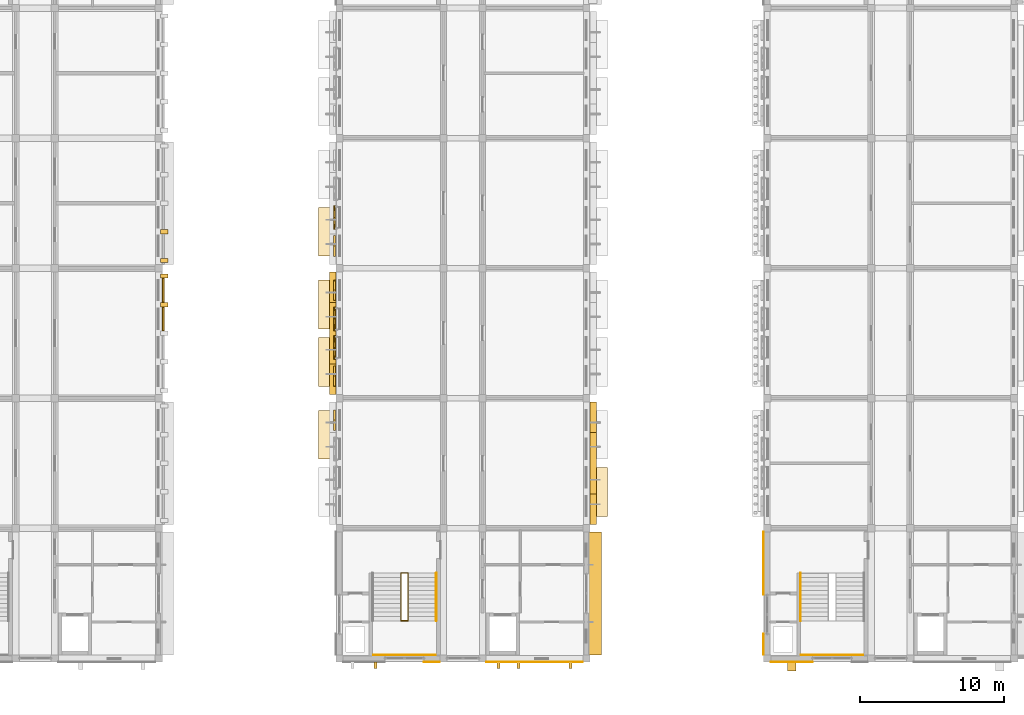
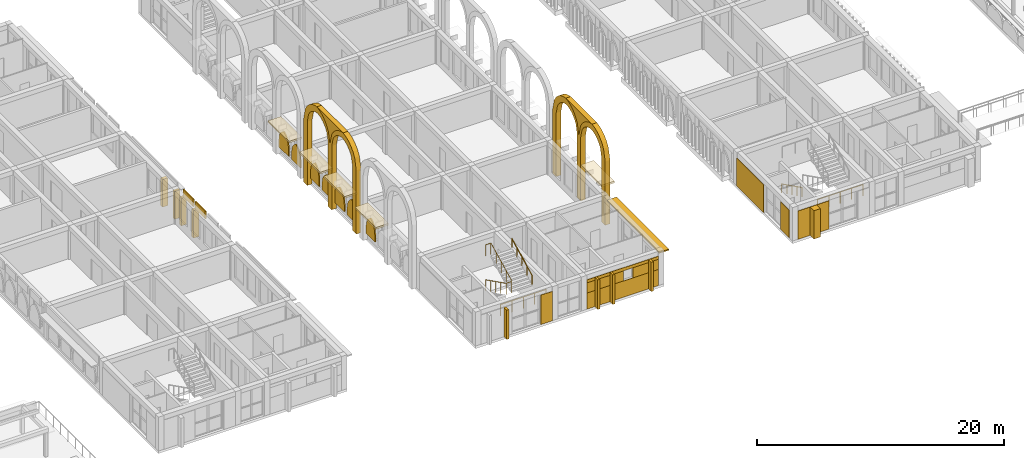
# One storey, part 58 of 70: 28 coverings, 8 shading devices, 5 railings.
"""IFC4 building model written with IfcOpenShell, lengths in metres."""

from ifc_helpers import new_model, si_unit, direction, frame, origin, origin_2d, place, context, subcontext, project, spatial, polyline, rectangle, circle, outline, extrude, material, layer, layer_set, type_object, element, save


model = new_model("IFC4")

# Units and contexts
model_context = context("Model", 3, precision=1e-05, world=origin(), true_north=direction((0.0, 1.0)))
body_context = subcontext(model_context, "Body", "Model", "MODEL_VIEW")
ifc_project = project(units=[si_unit("LENGTHUNIT", "METRE"), si_unit("AREAUNIT", "SQUARE_METRE"), si_unit("VOLUMEUNIT", "CUBIC_METRE"), si_unit("PLANEANGLEUNIT", "RADIAN"), si_unit("MASSUNIT", "GRAM", prefix="KILO")], contexts=[model_context])

# Site, building, storey
site_placement = place(None, origin())
site = spatial("IfcSite", under=ifc_project, at=site_placement, CompositionType="ELEMENT")
building_placement = place(site_placement, origin())
building = spatial("IfcBuilding", under=site, at=building_placement, Name="Elbe Cascade School", CompositionType="ELEMENT")
storey_placement = place(building_placement, frame((0.0, 0.0, 8.10009765625)))
storey = spatial("IfcBuildingStorey", under=building, at=storey_placement, Name="L02", CompositionType="ELEMENT", Elevation=8.10009765625)

# Railings
ifc_material_1 = material(Name="Steel S355J2H, painted", Category="steel")
railing_type_1 = type_object("IfcRailingType", Name="Bar stair guard 1100", PredefinedType="GUARDRAIL", material=ifc_material_1)
railing_1_placement = place(storey_placement, frame((102.85009765625, 11.89990234375, 0.14990234375)))
element("IfcRailing", 1, at=railing_1_placement, inside=storey, type_object=railing_type_1, Name="Stair guard B2.S", PredefinedType="GUARDRAIL", context=body_context, shape_type="SweptSolid", body=[
    extrude(circle(Radius=0.02392578125, at=origin_2d()), frame((0.0, 0.0, 1.09619140625), z_axis=(0.0, -0.894427191, 0.4472135955), x_axis=(1.0, 0.0, 0.0)), (0.0, 0.0, 1.0), 3.689208984375),
    extrude(circle(Radius=0.02392578125, at=origin_2d()), frame((0.0, -3.2998046875, 2.74609375), z_axis=(1.0, 0.0, 0.0), x_axis=(0.0, 1.0, 0.0)), (0.0, 0.0, 1.0), 0.5),
    extrude(circle(Radius=0.02392578125, at=origin_2d()), frame((0.5, -3.2998046875, 2.74609375), z_axis=(0.0, 0.0, 1.0), x_axis=(1.0, 0.0, 0.0)), (0.0, 0.0, 1.0), 0.150146484375),
    extrude(circle(Radius=0.02392578125, at=origin_2d()), frame((0.5, -3.2998046875, 2.89599609375), z_axis=(0.0, 0.894427191, 0.4472135955), x_axis=(-1.0, 0.0, 0.0)), (0.0, 0.0, 1.0), 3.689208984375),
    extrude(circle(Radius=0.02392578125, at=origin_2d()), frame((0.5, 0.0, 4.5458984375), z_axis=(-1.0, 0.0, 0.0), x_axis=(0.0, -1.0, 0.0)), (0.0, 0.0, 1.0), 0.5),
    extrude(circle(Radius=0.02099609375, at=origin_2d()), origin(), (0.0, 0.0, 1.0), 1.072021484375),
    extrude(circle(Radius=0.02099609375, at=origin_2d()), frame((0.0, -0.824951171875, 0.41259765625)), (0.0, 0.0, 1.0), 1.072021484375),
    extrude(circle(Radius=0.02099609375, at=origin_2d()), frame((0.0, -1.64990234375, 0.824951171875)), (0.0, 0.0, 1.0), 1.072021484375),
    extrude(circle(Radius=0.02099609375, at=origin_2d()), frame((0.0, -2.474853515625, 1.2373046875)), (0.0, 0.0, 1.0), 1.072021484375),
    extrude(circle(Radius=0.02099609375, at=origin_2d()), frame((0.0, -3.2998046875, 1.64990234375)), (0.0, 0.0, 1.0), 1.072021484375),
    extrude(circle(Radius=0.02099609375, at=origin_2d()), frame((0.5, -3.2998046875, 1.64990234375)), (0.0, 0.0, 1.0), 1.072021484375),
    extrude(circle(Radius=0.02099609375, at=origin_2d()), frame((0.5, -3.2998046875, 1.800048828125)), (0.0, 0.0, 1.0), 1.072021484375),
    extrude(circle(Radius=0.02099609375, at=origin_2d()), frame((0.5, -2.474853515625, 2.21240234375)), (0.0, 0.0, 1.0), 1.072021484375),
    extrude(circle(Radius=0.02099609375, at=origin_2d()), frame((0.5, -1.64990234375, 2.625)), (0.0, 0.0, 1.0), 1.072021484375),
    extrude(circle(Radius=0.02099609375, at=origin_2d()), frame((0.5, -0.824951171875, 3.03759765625)), (0.0, 0.0, 1.0), 1.072021484375),
    extrude(circle(Radius=0.02099609375, at=origin_2d()), frame((0.5, 0.0, 3.449951171875)), (0.0, 0.0, 1.0), 1.072021484375),
    extrude(circle(Radius=0.02099609375, at=origin_2d()), frame((0.0, 0.0, 3.449951171875)), (0.0, 0.0, 1.0), 1.072021484375),
])
for number, where, name in (
    (2, (100.9599609375, 6.239990234375, 1.7998046875), "Stair guard B2.S"),
    (3, (130.56005859375, 6.239990234375, 1.7998046875), "Stair guard C2.S"),
):
    element("IfcRailing", number, at=place(storey_placement, frame(where)), inside=storey, type_object=railing_type_1, Name=name, PredefinedType="GUARDRAIL", context=body_context, shape_type="SweptSolid", body=[
        extrude(circle(Radius=0.02392578125, at=origin_2d()), frame((0.0, 0.0, 1.09619140625), z_axis=(1.0, 0.0, 0.0), x_axis=(0.0, 1.0, 0.0)), (0.0, 0.0, 1.0), 4.280029296875),
        extrude(circle(Radius=0.02099609375, at=origin_2d()), origin(), (0.0, 0.0, 1.0), 1.072021484375),
        extrude(circle(Radius=0.02099609375, at=origin_2d()), frame((1.070068359375, 0.0, 0.0)), (0.0, 0.0, 1.0), 1.072021484375),
        extrude(circle(Radius=0.02099609375, at=origin_2d()), frame((2.14013671875, 0.0, 0.0)), (0.0, 0.0, 1.0), 1.072021484375),
        extrude(circle(Radius=0.02099609375, at=origin_2d()), frame((3.2099609375, 0.0, 0.0)), (0.0, 0.0, 1.0), 1.072021484375),
        extrude(circle(Radius=0.02099609375, at=origin_2d()), frame((4.280029296875, 0.0, 0.0)), (0.0, 0.0, 1.0), 1.072021484375),
    ])
ifc_material_2 = material(Name="Steel S355J2H, painted", Category="steel")
railing_type_2 = type_object("IfcRailingType", Name="Bar stair handrail 900", PredefinedType="HANDRAIL", material=ifc_material_2)
railing_2_placement = place(storey_placement, frame((105.300048828125, 8.60009765625, 1.949951171875)))
element("IfcRailing", 4, at=railing_2_placement, inside=storey, type_object=railing_type_2, Name="Stair handrail B2.S", PredefinedType="HANDRAIL", context=body_context, shape_type="SweptSolid", body=[
    extrude(circle(Radius=0.02392578125, at=origin_2d()), frame((0.0, 0.0, 0.8759765625), z_axis=(0.0, 0.894427191, 0.4472135955), x_axis=(-1.0, 0.0, 0.0)), (0.0, 0.0, 1.0), 3.689208984375),
    extrude(circle(Radius=0.02099609375, at=origin_2d()), origin(), (0.0, 0.0, 1.0), 0.851806640625),
    extrude(circle(Radius=0.02099609375, at=origin_2d()), frame((0.0, 0.824951171875, 0.41259765625)), (0.0, 0.0, 1.0), 0.851806640625),
    extrude(circle(Radius=0.02099609375, at=origin_2d()), frame((0.0, 1.64990234375, 0.824951171875)), (0.0, 0.0, 1.0), 0.851806640625),
    extrude(circle(Radius=0.02099609375, at=origin_2d()), frame((0.0, 2.474853515625, 1.2373046875)), (0.0, 0.0, 1.0), 0.851806640625),
    extrude(circle(Radius=0.02099609375, at=origin_2d()), frame((0.0, 3.2998046875, 1.64990234375)), (0.0, 0.0, 1.0), 0.851806640625),
])
railing_3_placement = place(storey_placement, frame((130.5, 11.89990234375, 0.14990234375)))
element("IfcRailing", 5, at=railing_3_placement, inside=storey, type_object=railing_type_2, Name="Stair handrail C2.S", PredefinedType="HANDRAIL", context=body_context, shape_type="SweptSolid", body=[
    extrude(circle(Radius=0.02392578125, at=origin_2d()), frame((0.0, 0.0, 0.8759765625), z_axis=(0.0, -0.894427191, 0.4472135955), x_axis=(1.0, 0.0, 0.0)), (0.0, 0.0, 1.0), 3.689208984375),
    extrude(circle(Radius=0.02099609375, at=origin_2d()), origin(), (0.0, 0.0, 1.0), 0.851806640625),
    extrude(circle(Radius=0.02099609375, at=origin_2d()), frame((0.0, -0.824951171875, 0.41259765625)), (0.0, 0.0, 1.0), 0.851806640625),
    extrude(circle(Radius=0.02099609375, at=origin_2d()), frame((0.0, -1.64990234375, 0.824951171875)), (0.0, 0.0, 1.0), 0.851806640625),
    extrude(circle(Radius=0.02099609375, at=origin_2d()), frame((0.0, -2.474853515625, 1.2373046875)), (0.0, 0.0, 1.0), 0.851806640625),
    extrude(circle(Radius=0.02099609375, at=origin_2d()), frame((0.0, -3.2998046875, 1.64990234375)), (0.0, 0.0, 1.0), 0.851806640625),
])

# Shading devices
ifc_material_3 = material(Name="Precast concrete C30/37", Category="concrete")
ifc_layer_1 = layer(ifc_material_3, 0.1201171875)
ifc_layer_set_1 = layer_set([ifc_layer_1], Name="Precast concrete C30/37")
shading_device_type_1 = type_object("IfcShadingDeviceType", Name="Bars envelope Chhajja eave, precast concrete, 900 x 120", PredefinedType="USERDEFINED", material=ifc_layer_set_1)
shading_device_1_placement = place(storey_placement, frame((116.27001953125, 10.5, 2.729736328125), z_axis=(0.0, 0.0, 1.0), x_axis=(0.0, 1.0, 0.0)))
element("IfcShadingDevice", 6, at=shading_device_1_placement, inside=storey, type_object=shading_device_type_1, Name="Chhajja eave SD2 B.L02.e1", ObjectType="CHHAJJA", PredefinedType="USERDEFINED", context=body_context, shape_type="SweptSolid", body=[
    extrude(rectangle(XDim=8.5, YDim=0.89990234375, at=origin_2d()), origin(), (0.0, 0.0, 1.0), 0.1201171875),
])
ifc_material_4 = material(Name="Precast concrete C40/50", Category="concrete")
ifc_layer_2 = layer(ifc_material_4, 0.10009765625)
ifc_layer_set_2 = layer_set([ifc_layer_2], Name="Precast concrete C40/50")
shading_device_type_2 = type_object("IfcShadingDeviceType", Name="Bars envelope Jali screen 1400 x 1940, pointed arch rise 1200, pierced precast concrete", PredefinedType="USERDEFINED", material=ifc_layer_set_2)
shading_device_2_placement = place(storey_placement, frame((98.199951171875, 21.77001953125, 1.33984375), z_axis=(-1.0, 0.0, 0.0), x_axis=(0.0, 0.17792317593, 0.984044380842)))
element("IfcShadingDevice", 7, at=shading_device_2_placement, inside=storey, type_object=shading_device_type_2, Name="Jali screen SD5 B.L02.w2.4", ObjectType="JALI", PredefinedType="USERDEFINED", context=body_context, shape_type="SweptSolid", body=[
    extrude(outline(polyline([(0.0, 0.0), (0.49123641871346896, 0.0), (0.6927805522414701, 0.052626805310662106), (0.8431090177286255, 0.11426571806572286), (0.9656124771118364, 0.18118371597428135), (1.069333371826684, 0.25124965415180983), (1.1586395539315395, 0.3239218888517511), (1.236937894644108, 0.3988325294290419), (1.305342743464475, 0.47528389408648153), (1.26808313808694, 0.5710883451184476), (1.2209300408172035, 0.6684335202305626), (1.1627256638798062, 0.7677768560098606), (1.0901500126077905, 0.8699667335217378), (0.9987917966674117, 0.9753045513025852), (0.8796085746230882, 1.0859214542369302), (0.7092096845379191, 1.2055504646156736), (0.24907507099190854, 1.377566035094913), (-0.4791081610228598, 1.5092274477521288), (-0.7281832320147683, 0.13166141265721568), (0.0, 0.0)])), origin(), (0.0, 0.0, -1.0), 0.10009765625),
])
shading_device_3_placement = place(storey_placement, frame((98.199951171875, 24.830078125, 1.33984375), z_axis=(-1.0, 0.0, 0.0), x_axis=(0.0, 0.17792317593, 0.984044380842)))
element("IfcShadingDevice", 8, at=shading_device_3_placement, inside=storey, type_object=shading_device_type_2, Name="Jali screen SD5 B.L02.w3.1", ObjectType="JALI", PredefinedType="USERDEFINED", context=body_context, shape_type="SweptSolid", body=[
    extrude(outline(polyline([(0.0, 0.0), (0.49123641871346896, 0.0), (0.6927371139660965, 0.05238656010049558), (0.8431090177286255, 0.11426571806572286), (0.9655690388364628, 0.18094347076411482), (1.069333371826684, 0.25124965415180983), (1.1586395539315395, 0.3239218888517511), (1.2368944563687345, 0.3985922842188754), (1.305342743464475, 0.47528389408648153), (1.2680396998115664, 0.5708480999082811), (1.2209300408172035, 0.6684335202305626), (1.1627256638798062, 0.7677768560098606), (1.090106574332417, 0.8697264883115714), (0.9987917966674117, 0.9753045513025852), (0.8795651363477146, 1.0856812090267636), (0.7092096845379191, 1.2055504646156736), (0.24907507099190854, 1.377566035094913), (-0.4791081610228598, 1.5092274477521288), (-0.7281832320147683, 0.13166141265721568), (0.0, 0.0)])), origin(), (0.0, 0.0, -1.0), 0.10009765625),
])
shading_device_4_placement = place(storey_placement, frame((98.199951171875, 30.77001953125, 1.33984375), z_axis=(-1.0, 0.0, 0.0), x_axis=(0.0, 0.17792317593, 0.984044380842)))
element("IfcShadingDevice", 9, at=shading_device_4_placement, inside=storey, type_object=shading_device_type_2, Name="Jali screen SD5 B.L02.w3.4", ObjectType="JALI", PredefinedType="USERDEFINED", context=body_context, shape_type="SweptSolid", body=[
    extrude(outline(polyline([(0.0, 0.0), (0.49123641871346896, 0.0), (0.6927805522414701, 0.052626805310662106), (0.8431090177286255, 0.11426571806572286), (0.9656124771118364, 0.18118371597428135), (1.069333371826684, 0.25124965415180983), (1.1586395539315395, 0.3239218888517511), (1.236937894644108, 0.3988325294290419), (1.305342743464475, 0.47528389408648153), (1.26808313808694, 0.5710883451184476), (1.2209300408172035, 0.6684335202305626), (1.1627256638798062, 0.7677768560098606), (1.0901500126077905, 0.8699667335217378), (0.9987917966674117, 0.9753045513025852), (0.8796085746230882, 1.0859214542369302), (0.7092096845379191, 1.2055504646156736), (0.24907507099190854, 1.377566035094913), (-0.4791081610228598, 1.5092274477521288), (-0.7281832320147683, 0.13166141265721568), (0.0, 0.0)])), origin(), (0.0, 0.0, -1.0), 0.10009765625),
])
shading_device_5_placement = place(storey_placement, frame((98.199951171875, 33.830078125, 1.33984375), z_axis=(-1.0, 0.0, 0.0), x_axis=(0.0, 0.17792317593, 0.984044380842)))
element("IfcShadingDevice", 10, at=shading_device_5_placement, inside=storey, type_object=shading_device_type_2, Name="Jali screen SD5 B.L02.w4.1", ObjectType="JALI", PredefinedType="USERDEFINED", context=body_context, shape_type="SweptSolid", body=[
    extrude(outline(polyline([(0.0, 0.0), (0.49123641871346896, 0.0), (0.6927371139660965, 0.05238656010049558), (0.8431090177286255, 0.11426571806572286), (0.9655690388364628, 0.18094347076411482), (1.069333371826684, 0.25124965415180983), (1.1586395539315395, 0.3239218888517511), (1.2368944563687345, 0.3985922842188754), (1.305342743464475, 0.47528389408648153), (1.2680396998115664, 0.5708480999082811), (1.2209300408172035, 0.6684335202305626), (1.1627256638798062, 0.7677768560098606), (1.090106574332417, 0.8697264883115714), (0.9987917966674117, 0.9753045513025852), (0.8795651363477146, 1.0856812090267636), (0.7092096845379191, 1.2055504646156736), (0.24907507099190854, 1.377566035094913), (-0.4791081610228598, 1.5092274477521288), (-0.7281832320147683, 0.13166141265721568), (0.0, 0.0)])), origin(), (0.0, 0.0, -1.0), 0.10009765625),
])
ifc_material_5 = material(Name="Precast concrete C40/50", Category="concrete")
ifc_layer_3 = layer(ifc_material_5, 0.10009765625)
ifc_layer_set_3 = layer_set([ifc_layer_3], Name="Precast concrete C40/50")
shading_device_type_3 = type_object("IfcShadingDeviceType", Name="Bars envelope Jali screen 1600 x 1940, pointed arch rise 1200, pierced precast concrete", PredefinedType="USERDEFINED", material=ifc_layer_set_3)
for number, where, z_axis, x_axis, name in (
    (11, (98.199951171875, 26.7099609375, 1.33984375), (-1.0, 0.0, 0.0), (0.0, 0.196300278283, 0.98054382908), "Jali screen SD4 B.L02.w3.2"),
    (12, (98.199951171875, 28.68994140625, 1.33984375), (-1.0, 0.0, 0.0), (0.0, 0.196300278283, 0.98054382908), "Jali screen SD4 B.L02.w3.3"),
    (13, (98.199951171875, 35.7099609375, 1.33984375), (-1.0, 0.0, 0.0), (0.0, 0.196300278283, 0.98054382908), "Jali screen SD4 B.L02.w4.2"),
):
    element("IfcShadingDevice", number, at=place(storey_placement, frame(where, z_axis=z_axis, x_axis=x_axis)), inside=storey, type_object=shading_device_type_3, Name=name, ObjectType="JALI", PredefinedType="USERDEFINED", context=body_context, shape_type="SweptSolid", body=[
        extrude(outline(polyline([(0.0, 0.0), (0.509921112317134, 0.0), (0.7186409460062186, 0.06005009918221829), (0.8735458233318658, 0.1311226852889124), (0.9985268777485877, 0.20818588047405348), (1.102872417131342, 0.2891312241218946), (1.1919448840573539, 0.37338315020117196), (1.268281725197354, 0.45993570394643946), (1.3336545243794973, 0.5489321924158467), (1.3075801207519657, 0.6562359822289878), (1.270445825421322, 0.7655049255997259), (1.220671754049922, 0.877553277802997), (1.1555287604765243, 0.9924294312711612), (1.069846101614414, 1.1116665143685687), (0.9542396198433787, 1.2368942065444228), (0.7847223319636507, 1.37266560447821), (0.31409961520112845, 1.5689658827607584), (-0.41149324269448634, 1.7142261716949392), (-0.7255928578956148, 0.1452602889341807), (0.0, 0.0)])), origin(), (0.0, 0.0, -1.0), 0.10009765625),
    ])

# Coverings
ifc_material_6 = material(Name="Precast concrete C40/50", Category="concrete")
covering_type_1 = type_object("IfcCoveringType", Name="Bars envelope Precast concrete fin, 300 wide, 500 deep", PredefinedType="CLADDING", material=ifc_material_6)
for number, where, z_axis, x_axis, name in (
    (14, (86.469970703125, 30.47998046875, 0.0), (0.0, 0.0, 1.0), (0.0, 1.0, 0.0), "Fin CV51 A.L02.e3.4"),
    (15, (86.469970703125, 32.4599609375, 0.0), (0.0, 0.0, 1.0), (0.0, 1.0, 0.0), "Fin CV51 A.L02.e3.5"),
    (16, (86.469970703125, 33.5400390625, 0.0), (0.0, 0.0, 1.0), (0.0, 1.0, 0.0), "Fin CV51 A.L02.e4.1"),
    (17, (86.469970703125, 35.52001953125, 0.0), (0.0, 0.0, 1.0), (0.0, 1.0, 0.0), "Fin CV51 A.L02.e4.2"),
):
    element("IfcCovering", number, at=place(storey_placement, frame(where, z_axis=z_axis, x_axis=x_axis)), inside=storey, type_object=covering_type_1, Name=name, PredefinedType="CLADDING", context=body_context, shape_type="SweptSolid", body=[
        extrude(rectangle(XDim=0.300048828125, YDim=0.5, at=origin_2d()), origin(), (0.0, 0.0, 1.0), 2.72998046875),
    ])
ifc_material_7 = material(Name="Precast concrete C40/50", Category="concrete")
covering_type_2 = type_object("IfcCoveringType", Name="Bars envelope Precast concrete gable fin, 200 wide, 450 deep", PredefinedType="CLADDING", material=ifc_material_7)
for number, where, z_axis, x_axis, name in (
    (18, (101.10009765625, 5.514892578125, 0.0), (0.0, 0.0, 1.0), (1.0, 0.0, 0.0), "Fin CV57 B.L02.s.2"),
    (19, (109.60009765625, 5.514892578125, 0.0), (0.0, 0.0, 1.0), (1.0, 0.0, 0.0), "Fin CV57 B.L02.s.3"),
    (20, (111.0, 5.514892578125, 0.0), (0.0, 0.0, 1.0), (1.0, 0.0, 0.0), "Fin CV57 B.L02.s.4"),
    (21, (114.60009765625, 5.514892578125, 0.0), (0.0, 0.0, 1.0), (1.0, 0.0, 0.0), "Fin CV57 B.L02.s.5"),
):
    element("IfcCovering", number, at=place(storey_placement, frame(where, z_axis=z_axis, x_axis=x_axis)), inside=storey, type_object=covering_type_2, Name=name, PredefinedType="CLADDING", context=body_context, shape_type="SweptSolid", body=[
        extrude(rectangle(XDim=0.199951171875, YDim=0.449951171875, at=origin_2d()), origin(), (0.0, 0.0, 1.0), 2.89990234375),
    ])
ifc_material_8 = material(Name="Precast concrete C40/50", Category="concrete")
covering_type_3 = type_object("IfcCoveringType", Name="Bars envelope Precast concrete gable fin, 600 wide, 600 deep", PredefinedType="CLADDING", material=ifc_material_8)
covering_1_placement = place(storey_placement, frame((129.89990234375, 5.43994140625, 0.0), z_axis=(0.0, 0.0, 1.0), x_axis=(1.0, 0.0, 0.0)))
element("IfcCovering", 22, at=covering_1_placement, inside=storey, type_object=covering_type_3, Name="Fin CV63 C.L02.s.1", PredefinedType="CLADDING", context=body_context, shape_type="SweptSolid", body=[
    extrude(rectangle(XDim=0.60009765625, YDim=0.60009765625, at=origin_2d()), origin(), (0.0, 0.0, 1.0), 2.800048828125),
])
ifc_material_9 = material(Name="Sandstone - red", Category="masonry")
covering_type_4 = type_object("IfcCoveringType", Name="Bars envelope Sandstone arch frame double, 8500 wide, 450 deep", PredefinedType="CLADDING", material=ifc_material_9)
covering_2_placement = place(storey_placement, frame((97.89990234375, 24.25, 0.0), z_axis=(-1.0, 0.0, 0.0), x_axis=(0.0, 0.0, 1.0)))
element("IfcCovering", 23, at=covering_2_placement, inside=storey, type_object=covering_type_4, Name="Arch frame CV58 B.L02.w3", PredefinedType="CLADDING", context=body_context, shape_type="SweptSolid", body=[
    extrude(outline(polyline([(0.0, 0.0), (6.2998046875, 0.0), (7.401611328125, 0.265625), (7.81201171875, 0.53125), (8.093994140625, 0.796875), (8.302001953125, 1.0625), (8.458251953125, 1.328125), (8.572998046875, 1.59375), (8.65234375, 1.859375), (8.699951171875, 2.125), (8.65234375, 2.390625), (8.572998046875, 2.65625), (8.458251953125, 2.921875), (8.302001953125, 3.1875), (8.093994140625, 3.453125), (7.81201171875, 3.71875), (7.401611328125, 3.984375), (6.2998046875, 4.25), (7.401611328125, 4.515625), (7.81201171875, 4.78125), (8.093994140625, 5.046875), (8.302001953125, 5.3125), (8.458251953125, 5.578125), (8.572998046875, 5.84375), (8.65234375, 6.109375), (8.699951171875, 6.375), (8.65234375, 6.640625), (8.572998046875, 6.90625), (8.458251953125, 7.171875), (8.302001953125, 7.4375), (8.093994140625, 7.703125), (7.81201171875, 7.96875), (7.401611328125, 8.234375), (6.2998046875, 8.5), (0.0, 8.5), (0.0, 7.919921875), (6.2998046875, 7.919921875), (7.152099609375, 7.708740234375), (7.467529296875, 7.49755859375), (7.6826171875, 7.2861328125), (7.839599609375, 7.074951171875), (7.955078125, 6.86376953125), (8.03759765625, 6.652587890625), (8.091796875, 6.44140625), (8.119873046875, 6.22998046875), (8.091796875, 6.018798828125), (8.03759765625, 5.8076171875), (7.955078125, 5.59619140625), (7.839599609375, 5.385009765625), (7.6826171875, 5.173828125), (7.467529296875, 4.96240234375), (7.152099609375, 4.751220703125), (6.2998046875, 4.5400390625), (0.0, 4.5400390625), (0.0, 3.9599609375), (6.2998046875, 3.9599609375), (7.152099609375, 3.748779296875), (7.467529296875, 3.53759765625), (7.6826171875, 3.326171875), (7.839599609375, 3.114990234375), (7.955078125, 2.90380859375), (8.03759765625, 2.6923828125), (8.091796875, 2.481201171875), (8.119873046875, 2.27001953125), (8.091796875, 2.05859375), (8.03759765625, 1.847412109375), (7.955078125, 1.63623046875), (7.839599609375, 1.425048828125), (7.6826171875, 1.2138671875), (7.467529296875, 1.00244140625), (7.152099609375, 0.791259765625), (6.2998046875, 0.580078125), (0.0, 0.580078125), (0.0, 0.0)])), origin(), (0.0, 0.0, -1.0), 0.449951171875),
])
covering_3_placement = place(storey_placement, frame((116.39990234375, 15.830078125, 0.0), z_axis=(1.0, 0.0, 0.0), x_axis=(0.0, 0.0, 1.0)))
element("IfcCovering", 24, at=covering_3_placement, inside=storey, type_object=covering_type_4, Name="Arch frame CV58 B.L02.e2", PredefinedType="CLADDING", context=body_context, shape_type="SweptSolid", body=[
    extrude(outline(polyline([(0.0, 0.0), (6.2998046875, 0.0), (7.152099609375, -0.211181640625), (7.467529296875, -0.42236328125), (7.6826171875, -0.6337890625), (7.839599609375, -0.844970703125), (7.955078125, -1.05615234375), (8.03759765625, -1.267333984375), (8.091796875, -1.478515625), (8.119873046875, -1.68994140625), (8.091796875, -1.901123046875), (8.03759765625, -2.1123046875), (7.955078125, -2.32373046875), (7.839599609375, -2.534912109375), (7.6826171875, -2.74609375), (7.467529296875, -2.95751953125), (7.152099609375, -3.168701171875), (6.2998046875, -3.3798828125), (0.0, -3.3798828125), (0.0, -3.9599609375), (6.2998046875, -3.9599609375), (7.152099609375, -4.171142578125), (7.467529296875, -4.38232421875), (7.6826171875, -4.59375), (7.839599609375, -4.804931640625), (7.955078125, -5.01611328125), (8.03759765625, -5.2275390625), (8.091796875, -5.438720703125), (8.119873046875, -5.64990234375), (8.091796875, -5.861328125), (8.03759765625, -6.072509765625), (7.955078125, -6.28369140625), (7.839599609375, -6.494873046875), (7.6826171875, -6.7060546875), (7.467529296875, -6.91748046875), (7.152099609375, -7.128662109375), (6.2998046875, -7.33984375), (0.0, -7.33984375), (0.0, -7.919921875), (6.2998046875, -7.919921875), (7.401611328125, -7.654296875), (7.81201171875, -7.388671875), (8.093994140625, -7.123046875), (8.302001953125, -6.857421875), (8.458251953125, -6.591796875), (8.572998046875, -6.326171875), (8.65234375, -6.060546875), (8.699951171875, -5.794921875), (8.65234375, -5.529296875), (8.572998046875, -5.263671875), (8.458251953125, -4.998046875), (8.302001953125, -4.732421875), (8.093994140625, -4.466796875), (7.81201171875, -4.201171875), (7.401611328125, -3.935546875), (6.2998046875, -3.669921875), (7.401611328125, -3.404296875), (7.81201171875, -3.138671875), (8.093994140625, -2.873046875), (8.302001953125, -2.607421875), (8.458251953125, -2.341796875), (8.572998046875, -2.076171875), (8.65234375, -1.810546875), (8.699951171875, -1.544921875), (8.65234375, -1.279296875), (8.572998046875, -1.013671875), (8.458251953125, -0.748046875), (8.302001953125, -0.482421875), (8.093994140625, -0.216796875), (7.81201171875, 0.048828125), (7.401611328125, 0.314453125), (6.2998046875, 0.580078125), (0.0, 0.580078125), (0.0, 0.0)])), origin(), (0.0, 0.0, -1.0), 0.449951171875),
])
ifc_material_10 = material(Name="Sandstone - red", Category="masonry")
covering_type_5 = type_object("IfcCoveringType", Name="Bars envelope Sandstone arch spandrel, 4250 wide, 450 deep", PredefinedType="CLADDING", material=ifc_material_10)
covering_4_placement = place(storey_placement, frame((97.89990234375, 28.5, 6.2998046875), z_axis=(-1.0, 0.0, 0.0), x_axis=(0.0, -0.234366782856, 0.972148245431)))
element("IfcCovering", 25, at=covering_4_placement, inside=storey, type_object=covering_type_5, Name="Arch spandrel CV59 B.L02.w3", PredefinedType="CLADDING", context=body_context, shape_type="SweptSolid", body=[
    extrude(outline(polyline([(0.0, 0.0), (1.1333730691834654, 0.0), (1.5945967655496798, -0.16204265845893395), (1.9309791589138199, -0.3541822231146897), (2.19544726556764, -0.5636589789826831), (2.409599105612259, -0.7852660468539583), (2.583402996017424, -1.0166002517089971), (2.722792458788938, -1.2562311322266582), (2.8313276071302806, -1.5033004116142559), (1.8352687799928786, 2.628329631465795), (1.851240985043711, 2.358945155468387), (1.8363588756643723, 2.082122280601041), (1.7870623386513826, 1.7970027300710736), (1.697417851998939, 1.5021560425573424), (1.557457098737294, 1.1951790430403295), (1.3455820587653293, 0.8708648523110788), (1.00886571579129, 0.5164537553850064), (0.0, 0.0)])), origin(), (0.0, 0.0, -1.0), 0.449951171875),
])
covering_5_placement = place(storey_placement, frame((116.39990234375, 19.765625, 7.401611328125), z_axis=(1.0, 0.0, 0.0), x_axis=(0.0, 0.543354809623, 0.839503157147)))
element("IfcCovering", 26, at=covering_5_placement, inside=storey, type_object=covering_type_5, Name="Arch spandrel CV59 B.L02.e2", PredefinedType="CLADDING", context=body_context, shape_type="SweptSolid", body=[
    extrude(outline(polyline([(0.0, 0.0), (0.4888610449301034, 2.7755575615628914e-17), (0.8699147996601779, -0.06977652096230302), (1.1888666362712244, -0.17974750171848036), (1.4643676258814988, -0.31784133883208776), (1.7050259551609652, -0.47848652302476646), (1.9159655447465072, -0.658366679726065), (2.100260747020255, -0.8554919841937122), (-0.20899719387665017, 2.71239643368101), (-0.10463515353828501, 2.4635356859143167), (-0.02691750051171382, 2.197429790381275), (0.0210814128209329, 1.9120889223396134), (0.03423766582277166, 1.6041967072188805), (0.003943071823838462, 1.2681816357407176), (-0.08845344029412289, 0.8919721044686806), (-0.2886572426121132, 0.44598605223434024), (-1.0692987746762668, -0.37567891134076503), (0.0, 0.0)])), origin(), (0.0, 0.0, -1.0), 0.449951171875),
])
ifc_material_11 = material(Name="Sandstone - red", Category="masonry")
covering_type_6 = type_object("IfcCoveringType", Name="Bars envelope Sandstone chhajja slab, 1200 deep", PredefinedType="CLADDING", material=ifc_material_11)
for number, where, z_axis, x_axis, name in (
    (27, (97.75, 21.47998046875, 3.419921875), (0.0, 0.0, 1.0), (0.0, 1.0, 0.0), "Chhajja slab CV61 B.L02.w1.2"),
    (28, (97.75, 26.52001953125, 3.419921875), (0.0, 0.0, 1.0), (0.0, 1.0, 0.0), "Chhajja slab CV61 B.L02.w2.1"),
    (29, (97.75, 30.47998046875, 3.419921875), (0.0, 0.0, 1.0), (0.0, 1.0, 0.0), "Chhajja slab CV61 B.L02.w2.2"),
    (30, (97.75, 35.52001953125, 3.419921875), (0.0, 0.0, 1.0), (0.0, 1.0, 0.0), "Chhajja slab CV61 B.L02.w3.1"),
    (31, (116.550048828125, 17.52001953125, 3.419921875), (0.0, 0.0, 1.0), (0.0, 1.0, 0.0), "Chhajja slab CV61 B.L02.e1.1"),
):
    element("IfcCovering", number, at=place(storey_placement, frame(where, z_axis=z_axis, x_axis=x_axis)), inside=storey, type_object=covering_type_6, Name=name, PredefinedType="CLADDING", context=body_context, shape_type="SweptSolid", body=[
        extrude(rectangle(XDim=3.3798828125, YDim=1.199951171875, at=origin_2d()), origin(), (0.0, 0.0, 1.0), 0.179931640625),
    ])
ifc_material_12 = material(Name="Sandstone - red", Category="masonry")
ifc_layer_4 = layer(ifc_material_12, 0.0400390625)
ifc_layer_set_4 = layer_set([ifc_layer_4], Name="Sandstone - red")
covering_type_7 = type_object("IfcCoveringType", Name="Bars envelope Sandstone cladding, red, 40 mm", PredefinedType="CLADDING", material=ifc_layer_set_4)
covering_6_placement = place(storey_placement, frame((105.0, 5.760009765625, 0.0), z_axis=(0.0, 0.0, 1.0), x_axis=(1.0, 0.0, 0.0)))
element("IfcCovering", 32, at=covering_6_placement, inside=storey, type_object=covering_type_7, Name="Sandstone cladding CV48 B.L02.s.1b.1", PredefinedType="CLADDING", context=body_context, shape_type="SweptSolid", body=[
    extrude(rectangle(XDim=1.10009765625, YDim=0.0400390625, at=origin_2d()), origin(), (0.0, 0.0, 1.0), 2.89990234375),
])
covering_7_placement = place(storey_placement, frame((112.10009765625, 5.760009765625, -0.000244140625), z_axis=(0.0, 0.0, 1.0), x_axis=(1.0, 0.0, 0.0)))
element("IfcCovering", 33, at=covering_7_placement, inside=storey, type_object=covering_type_7, Name="Sandstone cladding CV48 B.L02.s.3.1", PredefinedType="CLADDING", context=body_context, shape_type="SweptSolid", body=[
    extrude(rectangle(XDim=6.699951171875, YDim=0.0400390625, at=origin_2d()), origin(), (0.0, 0.0, 1.0), 1.60009765625),
])
covering_8_placement = place(storey_placement, frame((110.449951171875, 5.760009765625, 1.599853515625), z_axis=(0.0, 0.0, 1.0), x_axis=(1.0, 0.0, 0.0)))
element("IfcCovering", 34, at=covering_8_placement, inside=storey, type_object=covering_type_7, Name="Sandstone cladding CV48 B.L02.s.3.2", PredefinedType="CLADDING", context=body_context, shape_type="SweptSolid", body=[
    extrude(rectangle(XDim=3.39990234375, YDim=0.0400390625, at=origin_2d()), origin(), (0.0, 0.0, 1.0), 1.0),
])
covering_9_placement = place(storey_placement, frame((114.25, 5.760009765625, 1.599853515625), z_axis=(0.0, 0.0, 1.0), x_axis=(1.0, 0.0, 0.0)))
element("IfcCovering", 35, at=covering_9_placement, inside=storey, type_object=covering_type_7, Name="Sandstone cladding CV48 B.L02.s.3.3", PredefinedType="CLADDING", context=body_context, shape_type="SweptSolid", body=[
    extrude(rectangle(XDim=2.39990234375, YDim=0.0400390625, at=origin_2d()), origin(), (0.0, 0.0, 1.0), 1.0),
])
covering_10_placement = place(storey_placement, frame((112.10009765625, 5.760009765625, 2.60009765625), z_axis=(0.0, 0.0, 1.0), x_axis=(1.0, 0.0, 0.0)))
element("IfcCovering", 36, at=covering_10_placement, inside=storey, type_object=covering_type_7, Name="Sandstone cladding CV48 B.L02.s.3.4", PredefinedType="CLADDING", context=body_context, shape_type="SweptSolid", body=[
    extrude(rectangle(XDim=6.699951171875, YDim=0.0400390625, at=origin_2d()), origin(), (0.0, 0.0, 1.0), 0.300048828125),
])
covering_11_placement = place(storey_placement, frame((127.9599609375, 6.969970703125, 0.0), z_axis=(0.0, 0.0, 1.0), x_axis=(0.0, 1.0, 0.0)))
element("IfcCovering", 37, at=covering_11_placement, inside=storey, type_object=covering_type_7, Name="Sandstone cladding CV48 C.L02.w.1a.1", PredefinedType="CLADDING", context=body_context, shape_type="SweptSolid", body=[
    extrude(rectangle(XDim=1.43994140625, YDim=0.0400390625, at=origin_2d()), origin(), (0.0, 0.0, 1.0), 2.75),
])
covering_12_placement = place(storey_placement, frame((127.9599609375, 12.570068359375, 0.0), z_axis=(0.0, 0.0, 1.0), x_axis=(0.0, 1.0, 0.0)))
element("IfcCovering", 38, at=covering_12_placement, inside=storey, type_object=covering_type_7, Name="Sandstone cladding CV48 C.L02.w.1b.1", PredefinedType="CLADDING", context=body_context, shape_type="SweptSolid", body=[
    extrude(rectangle(XDim=4.360107421875, YDim=0.0400390625, at=origin_2d()), origin(), (0.0, 0.0, 1.0), 2.75),
])
covering_13_placement = place(storey_placement, frame((129.89990234375, 5.760009765625, 0.0), z_axis=(0.0, 0.0, 1.0), x_axis=(1.0, 0.0, 0.0)))
element("IfcCovering", 39, at=covering_13_placement, inside=storey, type_object=covering_type_7, Name="Sandstone cladding CV48 C.L02.s.1a.1", PredefinedType="CLADDING", context=body_context, shape_type="SweptSolid", body=[
    extrude(rectangle(XDim=2.89990234375, YDim=0.0400390625, at=origin_2d()), origin(), (0.0, 0.0, 1.0), 2.800048828125),
])
ifc_material_13 = material(Name="Sandstone - red", Category="masonry")
covering_type_8 = type_object("IfcCoveringType", Name="Bars envelope Sandstone spandrel band, 120 deep", PredefinedType="CLADDING", material=ifc_material_13)
for number, where, z_axis, x_axis, name in (
    (40, (86.409912109375, 29.489990234375, 2.849853515625), (0.0, 0.0, 1.0), (0.0, 1.0, 0.0), "Spandrel band CV53 A.L02.e2.3"),
    (41, (86.409912109375, 31.469970703125, 2.849853515625), (0.0, 0.0, 1.0), (0.0, 1.0, 0.0), "Spandrel band CV53 A.L02.e2.4"),
):
    element("IfcCovering", number, at=place(storey_placement, frame(where, z_axis=z_axis, x_axis=x_axis)), inside=storey, type_object=covering_type_8, Name=name, PredefinedType="CLADDING", context=body_context, shape_type="SweptSolid", body=[
        extrude(rectangle(XDim=1.639892578125, YDim=0.1201171875, at=origin_2d()), origin(), (0.0, 0.0, 1.0), 0.75),
    ])

save(model, "model.ifc")
